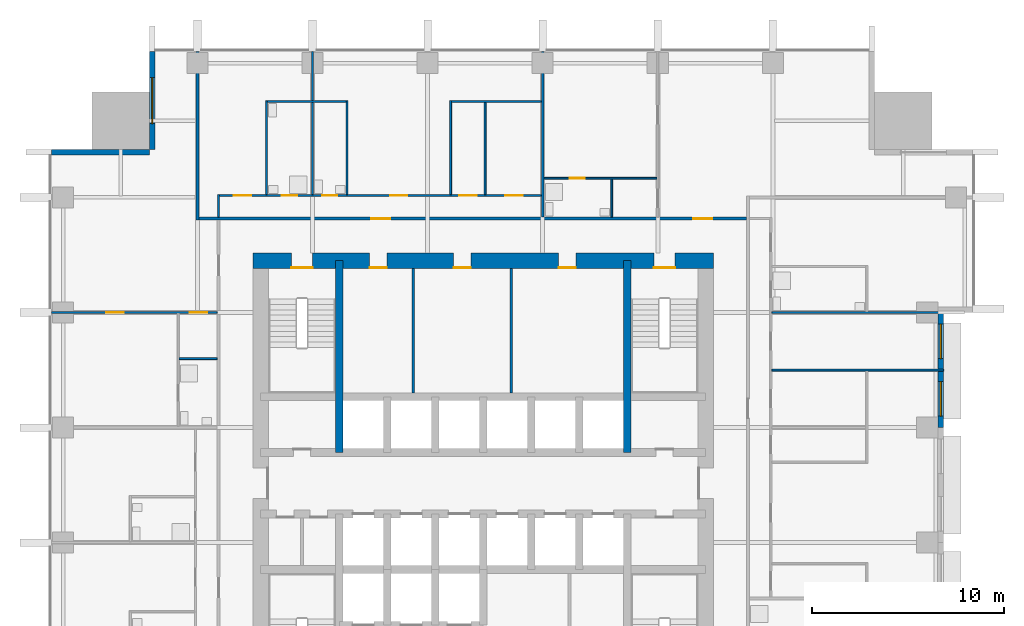
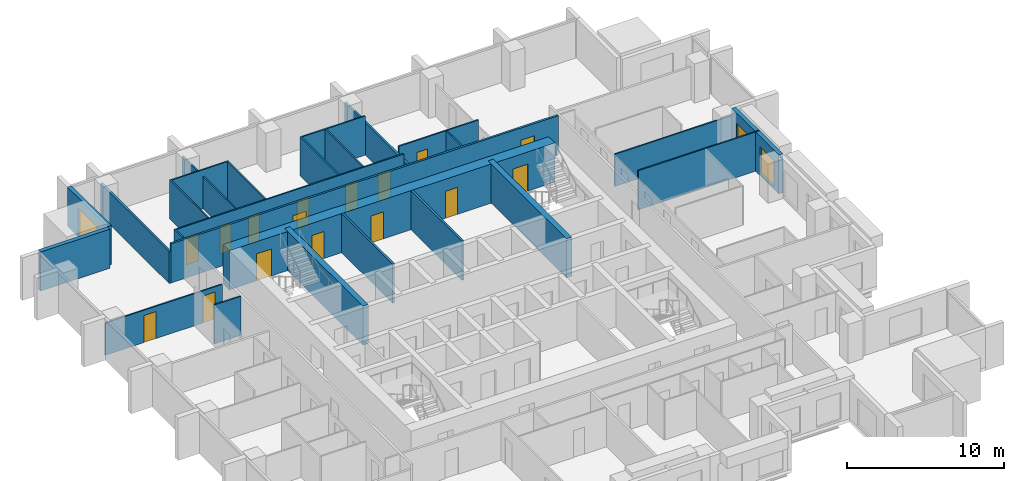
# One storey, part 7 of 10: 26 walls, 16 doors, 3 windows, 19 openings.
"""IFC4 building model written with IfcOpenShell, lengths in metres."""

import ifcopenshell
import ifcopenshell.guid

model = None  # the IFC model being written
_history = None  # IfcOwnerHistory: only IFC2X3 demands one
_inside = {}  # id of a spatial element -> (the spatial element, [elements in it])
_under = {}  # id of a project, library or spatial element -> (it, [spatial elements below it])
_declared = {}  # id of a project -> (the project, [libraries it declares])
_typed = {}  # id of a type object -> (the type object, [elements of that type])
_made_of = {}  # id of a material, layer set ... -> (it, [elements and type objects made of it])


def new_model(schema):
    """Start an empty IFC model of exactly this schema.

    Asked for "IFC4X3", IfcOpenShell would pick the latest addendum, in which some entities
    have other attributes; the version numbers below select the first issue.
    IFC2X3 requires an IfcOwnerHistory on every rooted entity: one is made here for all.
    """
    global model, _history
    if schema == "IFC4X3":
        model = ifcopenshell.file(schema_version=(4, 3, 0, 0))
    else:
        model = ifcopenshell.file(schema=schema)
    _inside.clear()
    _under.clear()
    _declared.clear()
    _typed.clear()
    _made_of.clear()
    _history = None
    if model.schema == "IFC2X3":
        org = make("IfcOrganization", Name="unknown")
        user = make(
            "IfcPersonAndOrganization",
            ThePerson=make("IfcPerson", FamilyName="unknown"),
            TheOrganization=org,
        )
        app = make(
            "IfcApplication",
            ApplicationDeveloper=org,
            Version="unknown",
            ApplicationFullName="unknown",
            ApplicationIdentifier="unknown",
        )
        _history = make(
            "IfcOwnerHistory",
            OwningUser=user,
            OwningApplication=app,
            ChangeAction="ADDED",
            CreationDate=0,
        )
    return model


def make(cls, **values):
    """One entity of the class cls with the attributes given. An attribute that is None is left unset."""
    return model.create_entity(
        cls, **{name: value for name, value in values.items() if value is not None}
    )


def rooted(cls, **values):
    """An entity with a GlobalId (a new one), such as an element, a storey or a relation."""
    return make(cls, GlobalId=ifcopenshell.guid.new(), OwnerHistory=_history, **values)


def si_unit(unit_type, name, prefix=None):
    """IfcSIUnit, for example si_unit("LENGTHUNIT", "METRE", prefix="MILLI")."""
    return make("IfcSIUnit", UnitType=unit_type, Prefix=prefix, Name=name)


def assignment(units):
    """IfcUnitAssignment: the units of a project."""
    return None if units is None else make("IfcUnitAssignment", Units=units)


def point(xyz):
    """IfcCartesianPoint."""
    return None if xyz is None else make("IfcCartesianPoint", Coordinates=xyz)


def direction(xyz):
    """IfcDirection."""
    return None if xyz is None else make("IfcDirection", DirectionRatios=xyz)


def frame(location, z_axis=None, x_axis=None):
    """IfcAxis2Placement3D, a coordinate frame: its origin and axes. An axis left out is left unset."""
    return make(
        "IfcAxis2Placement3D",
        Location=point(location),
        Axis=direction(z_axis),
        RefDirection=direction(x_axis),
    )


def frame_2d(location, x_axis=None):
    """IfcAxis2Placement2D, a coordinate frame in the plane: its origin and x axis."""
    return make(
        "IfcAxis2Placement2D", Location=point(location), RefDirection=direction(x_axis)
    )


def origin():
    """The frame at (0, 0, 0) with its axes left unset."""
    return frame((0.0, 0.0, 0.0))


def place(relative_to, where):
    """IfcLocalPlacement: puts the frame where relative to a parent placement (None: the world)."""
    return make(
        "IfcLocalPlacement", PlacementRelTo=relative_to, RelativePlacement=where
    )


def context(
    kind, dimensions, precision=None, world=None, true_north=None, identifier=None
):
    """IfcGeometricRepresentationContext, for example the 3D "Model" context."""
    return make(
        "IfcGeometricRepresentationContext",
        ContextIdentifier=identifier,
        ContextType=kind,
        CoordinateSpaceDimension=dimensions,
        Precision=precision,
        WorldCoordinateSystem=world,
        TrueNorth=true_north,
    )


def subcontext(parent, identifier, kind, view, scale=None):
    """IfcGeometricRepresentationSubContext, for example "Body" below "Model"."""
    return make(
        "IfcGeometricRepresentationSubContext",
        ContextIdentifier=identifier,
        ContextType=kind,
        ParentContext=parent,
        TargetScale=scale,
        TargetView=view,
    )


def project(units=None, contexts=None):
    """IfcProject with its units and contexts."""
    return rooted(
        "IfcProject",
        Name="project",
        RepresentationContexts=contexts,
        UnitsInContext=assignment(units),
    )


def spatial(cls, under=None, at=None, **own):
    """A site, building, storey or space (cls), placed at a placement, below another one or the project."""
    s = rooted(cls, ObjectPlacement=at, **own)
    if under is not None:
        _under.setdefault(under.id(), (under, []))[1].append(s)
    return s


def profile(cls, at=None, kind="AREA", **sizes):
    """A parametric profile (cls). Its sizes go by their IFC names, for example OverallWidth=200.0."""
    return make(cls, ProfileType=kind, Position=at, **sizes)


def rectangle(**sizes):
    """IfcRectangleProfileDef."""
    return profile("IfcRectangleProfileDef", **sizes)


def extrude(swept, where, along, depth):
    """IfcExtrudedAreaSolid: the profile swept, set in the frame where, extruded along a direction by depth."""
    return make(
        "IfcExtrudedAreaSolid",
        SweptArea=swept,
        Position=where,
        ExtrudedDirection=direction(along),
        Depth=depth,
    )


def shape(context_of_items, identifier, shape_type, items):
    """IfcShapeRepresentation: the items that make up one representation, for example the "Body"."""
    return make(
        "IfcShapeRepresentation",
        ContextOfItems=context_of_items,
        RepresentationIdentifier=identifier,
        RepresentationType=shape_type,
        Items=items,
    )


def material(Name=None, Category=None):
    """IfcMaterial."""
    return make("IfcMaterial", Name=Name, Category=Category)


def layer(
    of_material, thickness, ventilated=None, Name=None, Category=None, Priority=None
):
    """IfcMaterialLayer: one layer of a wall or slab, of a material (None: an air gap)."""
    return make(
        "IfcMaterialLayer",
        Material=of_material,
        LayerThickness=thickness,
        IsVentilated=ventilated,
        Name=Name,
        Category=Category,
        Priority=Priority,
    )


def layer_set(layers, Name=None):
    """IfcMaterialLayerSet."""
    return make("IfcMaterialLayerSet", MaterialLayers=layers, LayerSetName=Name)


def made_of(thing, what):
    """Note that an element or type object is made of a material, layer set ...; save() writes the relation."""
    if what is not None:
        _made_of.setdefault(what.id(), (what, []))[1].append(thing)
    return thing


def type_object(cls, material=None, **own):
    """A type object (cls), such as IfcWallType, which elements share."""
    return made_of(rooted(cls, **own), material)


def element(
    cls,
    number,
    at=None,
    inside=None,
    cuts=None,
    type_object=None,
    material=None,
    context=None,
    identifier="Body",
    shape_type=None,
    held_by="IfcProductDefinitionShape",
    body=None,
    shapes=None,
    **own,
):
    """One element of the class cls, such as IfcWall. Its Tag is "e" and its number.

    at: its placement. inside: the storey or other place that contains it. cuts: it is an
    opening in that element (IfcRelVoidsElement). A single representation is given by context,
    identifier, shape_type and body (its items); several are given by shapes. held_by: the class
    of the entity that holds the representations. save() writes the other relations.
    """
    e = rooted(cls, Tag="e%d" % number, ObjectPlacement=at, **own)
    if body is not None:
        shapes = [shape(context, identifier, shape_type, body)]
    if shapes is not None:
        e.Representation = make(held_by, Representations=shapes)
    if inside is not None:
        _inside.setdefault(inside.id(), (inside, []))[1].append(e)
    if cuts is not None:
        rooted(
            "IfcRelVoidsElement", RelatingBuildingElement=cuts, RelatedOpeningElement=e
        )
    if type_object is not None:
        _typed.setdefault(type_object.id(), (type_object, []))[1].append(e)
    return made_of(e, material)


def fill(opening, filler):
    """IfcRelFillsElement: the door or window that sits in an opening."""
    return rooted(
        "IfcRelFillsElement",
        RelatingOpeningElement=opening,
        RelatedBuildingElement=filler,
    )


def aggregate(whole, parts):
    """IfcRelAggregates: a whole, such as a stair, and the parts it consists of."""
    return rooted("IfcRelAggregates", RelatingObject=whole, RelatedObjects=parts)


def save(model, path):
    """Write the relations noted so far, then the file.

    IfcRelAggregates (storeys below a building ...), IfcRelContainedInSpatialStructure (elements
    in a storey), IfcRelDefinesByType, IfcRelAssociatesMaterial and IfcRelDeclares: one each for
    every whole, place, type object, material and project.
    """
    for whole, parts in _under.values():
        aggregate(whole, parts)
    for where, things in _inside.values():
        rooted(
            "IfcRelContainedInSpatialStructure",
            RelatedElements=things,
            RelatingStructure=where,
        )
    for kind, things in _typed.values():
        rooted("IfcRelDefinesByType", RelatedObjects=things, RelatingType=kind)
    for what, things in _made_of.values():
        rooted("IfcRelAssociatesMaterial", RelatedObjects=things, RelatingMaterial=what)
    for by, libraries in _declared.values():
        rooted("IfcRelDeclares", RelatingContext=by, RelatedDefinitions=libraries)
    model.write(path)


model = new_model("IFC4")

# Units and contexts
model_context = context("Model", 3, precision=1e-05, world=origin(), true_north=direction((0.0, 1.0)))
body_context = subcontext(model_context, "Body", "Model", "MODEL_VIEW")
ifc_project = project(units=[si_unit("LENGTHUNIT", "METRE"), si_unit("AREAUNIT", "SQUARE_METRE"), si_unit("VOLUMEUNIT", "CUBIC_METRE"), si_unit("PLANEANGLEUNIT", "RADIAN"), si_unit("MASSUNIT", "GRAM", prefix="KILO")], contexts=[model_context])

# Site, building, storey
site_placement = place(None, origin())
site = spatial("IfcSite", under=ifc_project, at=site_placement, CompositionType="ELEMENT")
building_placement = place(site_placement, origin())
building = spatial("IfcBuilding", under=site, at=building_placement, Name="Amberfall Residences", CompositionType="ELEMENT")
storey_placement = place(building_placement, frame((0.0, 0.0, 85.300048828125)))
storey = spatial("IfcBuildingStorey", under=building, at=storey_placement, Name="L22", CompositionType="ELEMENT", Elevation=85.300048828125)

# Wall, opening, window
ifc_material_1 = material(Name="Pale stone cladding on insulated backing", Category="masonry")
ifc_layer_1 = layer(ifc_material_1, 0.300048828125)
ifc_layer_set_1 = layer_set([ifc_layer_1], Name="Bronze clad wall 300")
wall_type_1 = type_object("IfcWallType", Name="Bronze clad wall 300", PredefinedType="SOLIDWALL", material=ifc_layer_set_1)
wall_1_placement = place(storey_placement, frame((57.25, 68.0, 0.0), z_axis=(0.0, 0.0, 1.0), x_axis=(0.0, -1.0, 0.0)))
wall_1 = element("IfcWall", 1, at=wall_1_placement, inside=storey, type_object=wall_type_1, Name="External wall L22 NW", PredefinedType="SOLIDWALL", context=body_context, shape_type="SweptSolid", body=[
    extrude(rectangle(XDim=5.10009765625, YDim=0.300048828125, at=frame_2d((2.550048828125, 0.0))), origin(), (0.0, 0.0, 1.0), 3.050048828125),
])
opening_1_placement = place(wall_1_placement, frame((1.35009765625, 0.0, 0.14990234375)))
opening_1 = element("IfcOpeningElement", 2, at=opening_1_placement, cuts=wall_1, Name="Opening WN5", PredefinedType="OPENING", context=body_context, shape_type="SweptSolid", body=[
    extrude(rectangle(XDim=2.39990234375, YDim=2.10009765625, at=frame_2d((1.199951171875, 1.050048828125))), frame((0.0, 0.159912109375, 0.0), z_axis=(0.0, -1.0, 0.0), x_axis=(1.0, 0.0, 0.0)), (0.0, 0.0, 1.0), 0.320068359375),
])
ifc_material_2 = material(Name="Bronze aluminium framed glazing", Category="aluminium")
window_type_1 = type_object("IfcWindowType", Name="Glazed opening 2400 x 2100 bronze", PartitioningType="DOUBLE_PANEL_VERTICAL", PredefinedType="WINDOW", material=ifc_material_2)
window_1_placement = place(opening_1_placement, origin())
window_1 = element("IfcWindow", 3, at=window_1_placement, inside=storey, type_object=window_type_1, Name="Window L22 NW", OverallHeight=2.10009765625, OverallWidth=2.39990234375, PartitioningType="DOUBLE_PANEL_VERTICAL", PredefinedType="WINDOW", context=body_context, shape_type="SweptSolid", body=[
    extrude(rectangle(XDim=2.39990234375, YDim=2.10009765625, at=frame_2d((1.199951171875, 1.050048828125))), frame((0.0, 0.030029296875, 0.0), z_axis=(0.0, -1.0, 0.0), x_axis=(1.0, 0.0, 0.0)), (0.0, 0.0, 1.0), 0.06005859375),
])
fill(opening_1, window_1)

# Wall
wall_2_placement = place(storey_placement, frame((57.10009765625, 62.75, 0.0), z_axis=(0.0, 0.0, 1.0), x_axis=(-1.0, 0.0, 0.0)))
element("IfcWall", 4, at=wall_2_placement, inside=storey, type_object=wall_type_1, Name="External wall L22 NW", PredefinedType="SOLIDWALL", context=body_context, shape_type="SweptSolid", body=[
    extrude(rectangle(XDim=5.10009765625, YDim=0.300048828125, at=frame_2d((2.550048828125, 0.0))), origin(), (0.0, 0.0, 1.0), 3.050048828125),
])

# Wall, openings, windows
wall_3_placement = place(storey_placement, frame((98.35009765625, 48.39990234375, 0.0), z_axis=(0.0, 0.0, 1.0), x_axis=(0.0, 1.0, 0.0)))
wall_3 = element("IfcWall", 5, at=wall_3_placement, inside=storey, type_object=wall_type_1, Name="Stone wall L22 E", PredefinedType="SOLIDWALL", context=body_context, shape_type="SweptSolid", body=[
    extrude(rectangle(XDim=6.0, YDim=0.300048828125, at=frame_2d((3.0, 0.0))), origin(), (0.0, 0.0, 1.0), 3.050048828125),
])
opening_2_placement = place(wall_3_placement, frame((0.60009765625, 0.0, 0.14990234375)))
opening_2 = element("IfcOpeningElement", 6, at=opening_2_placement, cuts=wall_3, Name="Opening WN6", PredefinedType="OPENING", context=body_context, shape_type="SweptSolid", body=[
    extrude(rectangle(XDim=1.800048828125, YDim=2.10009765625, at=frame_2d((0.89990234375, 1.050048828125))), frame((0.0, 0.159912109375, 0.0), z_axis=(0.0, -1.0, 0.0), x_axis=(1.0, 0.0, 0.0)), (0.0, 0.0, 1.0), 0.320068359375),
])
opening_3_placement = place(wall_3_placement, frame((3.60009765625, 0.0, 0.14990234375)))
opening_3 = element("IfcOpeningElement", 7, at=opening_3_placement, cuts=wall_3, Name="Opening WN6", PredefinedType="OPENING", context=body_context, shape_type="SweptSolid", body=[
    extrude(rectangle(XDim=1.800048828125, YDim=2.10009765625, at=frame_2d((0.89990234375, 1.050048828125))), frame((0.0, 0.159912109375, 0.0), z_axis=(0.0, -1.0, 0.0), x_axis=(1.0, 0.0, 0.0)), (0.0, 0.0, 1.0), 0.320068359375),
])
window_type_2 = type_object("IfcWindowType", Name="Glazed opening 1800 x 2100 bronze", PartitioningType="DOUBLE_PANEL_VERTICAL", PredefinedType="WINDOW", material=ifc_material_2)
window_2_placement = place(opening_2_placement, origin())
window_2 = element("IfcWindow", 8, at=window_2_placement, inside=storey, type_object=window_type_2, Name="Window L22 E", OverallHeight=2.10009765625, OverallWidth=1.800048828125, PartitioningType="DOUBLE_PANEL_VERTICAL", PredefinedType="WINDOW", context=body_context, shape_type="SweptSolid", body=[
    extrude(rectangle(XDim=1.800048828125, YDim=2.10009765625, at=frame_2d((0.89990234375, 1.050048828125))), frame((0.0, 0.030029296875, 0.0), z_axis=(0.0, -1.0, 0.0), x_axis=(1.0, 0.0, 0.0)), (0.0, 0.0, 1.0), 0.06005859375),
])
fill(opening_2, window_2)
window_3_placement = place(opening_3_placement, origin())
window_3 = element("IfcWindow", 9, at=window_3_placement, inside=storey, type_object=window_type_2, Name="Window L22 E", OverallHeight=2.10009765625, OverallWidth=1.800048828125, PartitioningType="DOUBLE_PANEL_VERTICAL", PredefinedType="WINDOW", context=body_context, shape_type="SweptSolid", body=[
    extrude(rectangle(XDim=1.800048828125, YDim=2.10009765625, at=frame_2d((0.89990234375, 1.050048828125))), frame((0.0, 0.030029296875, 0.0), z_axis=(0.0, -1.0, 0.0), x_axis=(1.0, 0.0, 0.0)), (0.0, 0.0, 1.0), 0.06005859375),
])
fill(opening_3, window_3)

# Walls
ifc_material_3 = material(Name="Concrete C70", Category="concrete")
ifc_layer_2 = layer(ifc_material_3, 0.39990234375)
ifc_layer_set_2 = layer_set([ifc_layer_2], Name="Core wall 400 C70")
wall_type_2 = type_object("IfcWallType", Name="Core wall 400 C70", PredefinedType="SHEAR", material=ifc_layer_set_2)
for number, where, z_axis, x_axis, name in (
    (10, (67.0, 47.10009765625, 0.0), (0.0, 0.0, 1.0), (0.0, 1.0, 0.0), "Core wall RW4 L22 V45N"),
    (11, (82.0, 47.10009765625, 0.0), (0.0, 0.0, 1.0), (0.0, 1.0, 0.0), "Core wall RW4 L22 V195N"),
):
    element("IfcWall", number, at=place(storey_placement, frame(where, z_axis=z_axis, x_axis=x_axis)), inside=storey, type_object=wall_type_2, Name=name, PredefinedType="SHEAR", context=body_context, shape_type="SweptSolid", body=[
        extrude(rectangle(XDim=10.0, YDim=0.39990234375, at=frame_2d((5.0, 0.0))), origin(), (0.0, 0.0, 1.0), 3.050048828125),
    ])

# Wall, openings, doors
ifc_layer_3 = layer(ifc_material_3, 0.800048828125)
ifc_layer_set_3 = layer_set([ifc_layer_3], Name="Core wall 800 C70")
wall_type_3 = type_object("IfcWallType", Name="Core wall 800 C70", PredefinedType="SHEAR", material=ifc_layer_set_3)
wall_4_placement = place(storey_placement, frame((62.5, 57.10009765625, 0.0), z_axis=(0.0, 0.0, 1.0), x_axis=(1.0, 0.0, 0.0)))
wall_4 = element("IfcWall", 12, at=wall_4_placement, inside=storey, type_object=wall_type_3, Name="Core wall RW3 L22 ON", PredefinedType="SHEAR", context=body_context, shape_type="SweptSolid", body=[
    extrude(rectangle(XDim=24.0, YDim=0.800048828125, at=frame_2d((12.0, 0.0))), origin(), (0.0, 0.0, 1.0), 3.050048828125),
])
opening_4_placement = place(wall_4_placement, frame((20.89990234375, 0.0, 0.0)))
opening_4 = element("IfcOpeningElement", 13, at=opening_4_placement, cuts=wall_4, Name="Opening SD1", PredefinedType="OPENING", context=body_context, shape_type="SweptSolid", body=[
    extrude(rectangle(XDim=1.10009765625, YDim=2.10009765625, at=frame_2d((0.550048828125, 1.050048828125))), frame((0.0, 0.409912109375, 0.0), z_axis=(0.0, -1.0, 0.0), x_axis=(1.0, 0.0, 0.0)), (0.0, 0.0, 1.0), 0.820068359375),
])
opening_5_placement = place(wall_4_placement, frame((2.0, 0.0, 0.0)))
opening_5 = element("IfcOpeningElement", 14, at=opening_5_placement, cuts=wall_4, Name="Opening SD1", PredefinedType="OPENING", context=body_context, shape_type="SweptSolid", body=[
    extrude(rectangle(XDim=1.10009765625, YDim=2.10009765625, at=frame_2d((0.550048828125, 1.050048828125))), frame((0.0, 0.409912109375, 0.0), z_axis=(0.0, -1.0, 0.0), x_axis=(1.0, 0.0, 0.0)), (0.0, 0.0, 1.0), 0.820068359375),
])
opening_6_placement = place(wall_4_placement, frame((6.074951171875, 0.0, 0.0)))
opening_6 = element("IfcOpeningElement", 15, at=opening_6_placement, cuts=wall_4, Name="Opening RD1", PredefinedType="OPENING", context=body_context, shape_type="SweptSolid", body=[
    extrude(rectangle(XDim=0.89990234375, YDim=2.10009765625, at=frame_2d((0.449951171875, 1.050048828125))), frame((0.0, 0.409912109375, 0.0), z_axis=(0.0, -1.0, 0.0), x_axis=(1.0, 0.0, 0.0)), (0.0, 0.0, 1.0), 0.820068359375),
])
opening_7_placement = place(wall_4_placement, frame((10.455078125, 0.0, 0.0)))
opening_7 = element("IfcOpeningElement", 16, at=opening_7_placement, cuts=wall_4, Name="Opening RD1", PredefinedType="OPENING", context=body_context, shape_type="SweptSolid", body=[
    extrude(rectangle(XDim=0.89990234375, YDim=2.10009765625, at=frame_2d((0.449951171875, 1.050048828125))), frame((0.0, 0.409912109375, 0.0), z_axis=(0.0, -1.0, 0.0), x_axis=(1.0, 0.0, 0.0)), (0.0, 0.0, 1.0), 0.820068359375),
])
opening_8_placement = place(wall_4_placement, frame((15.929931640625, 0.0, 0.0)))
opening_8 = element("IfcOpeningElement", 17, at=opening_8_placement, cuts=wall_4, Name="Opening RD1", PredefinedType="OPENING", context=body_context, shape_type="SweptSolid", body=[
    extrude(rectangle(XDim=0.89990234375, YDim=2.10009765625, at=frame_2d((0.449951171875, 1.050048828125))), frame((0.0, 0.409912109375, 0.0), z_axis=(0.0, -1.0, 0.0), x_axis=(1.0, 0.0, 0.0)), (0.0, 0.0, 1.0), 0.820068359375),
])
ifc_material_4 = material(Name="Steel fire door set", Category="steel")
door_type_1 = type_object("IfcDoorType", Name="Service room door 900 x 2100", OperationType="SINGLE_SWING_LEFT", PredefinedType="DOOR", material=ifc_material_4)
door_1_placement = place(opening_6_placement, origin())
door_1 = element("IfcDoor", 18, at=door_1_placement, inside=storey, type_object=door_type_1, Name="RD1 L22", OperationType="SINGLE_SWING_RIGHT", OverallHeight=2.10009765625, OverallWidth=0.89990234375, PredefinedType="DOOR", context=body_context, shape_type="SweptSolid", body=[
    extrude(rectangle(XDim=0.89990234375, YDim=2.10009765625, at=frame_2d((0.449951171875, 1.050048828125))), frame((0.0, -0.33740234375, 0.0), z_axis=(0.0, -1.0, 0.0), x_axis=(1.0, 0.0, 0.0)), (0.0, 0.0, 1.0), 0.050048828125),
])
fill(opening_6, door_1)
door_2_placement = place(opening_7_placement, origin())
door_2 = element("IfcDoor", 19, at=door_2_placement, inside=storey, type_object=door_type_1, Name="RD1 L22", OperationType="SINGLE_SWING_RIGHT", OverallHeight=2.10009765625, OverallWidth=0.89990234375, PredefinedType="DOOR", context=body_context, shape_type="SweptSolid", body=[
    extrude(rectangle(XDim=0.89990234375, YDim=2.10009765625, at=frame_2d((0.449951171875, 1.050048828125))), frame((0.0, -0.33740234375, 0.0), z_axis=(0.0, -1.0, 0.0), x_axis=(1.0, 0.0, 0.0)), (0.0, 0.0, 1.0), 0.050048828125),
])
fill(opening_7, door_2)
door_3_placement = place(opening_8_placement, origin())
door_3 = element("IfcDoor", 20, at=door_3_placement, inside=storey, type_object=door_type_1, Name="RD1 L22", OperationType="SINGLE_SWING_RIGHT", OverallHeight=2.10009765625, OverallWidth=0.89990234375, PredefinedType="DOOR", context=body_context, shape_type="SweptSolid", body=[
    extrude(rectangle(XDim=0.89990234375, YDim=2.10009765625, at=frame_2d((0.449951171875, 1.050048828125))), frame((0.0, -0.33740234375, 0.0), z_axis=(0.0, -1.0, 0.0), x_axis=(1.0, 0.0, 0.0)), (0.0, 0.0, 1.0), 0.050048828125),
])
fill(opening_8, door_3)
door_type_2 = type_object("IfcDoorType", Name="Stair door 1100 x 2100", OperationType="SINGLE_SWING_LEFT", PredefinedType="DOOR", material=ifc_material_4)
door_4_placement = place(opening_4_placement, origin())
door_4 = element("IfcDoor", 21, at=door_4_placement, inside=storey, type_object=door_type_2, Name="SD1 L22", OperationType="SINGLE_SWING_RIGHT", OverallHeight=2.10009765625, OverallWidth=1.10009765625, PredefinedType="DOOR", context=body_context, shape_type="SweptSolid", body=[
    extrude(rectangle(XDim=1.10009765625, YDim=2.10009765625, at=frame_2d((0.550048828125, 1.050048828125))), frame((0.0, -0.33740234375, 0.0), z_axis=(0.0, -1.0, 0.0), x_axis=(1.0, 0.0, 0.0)), (0.0, 0.0, 1.0), 0.050048828125),
])
fill(opening_4, door_4)
door_5_placement = place(opening_5_placement, origin())
door_5 = element("IfcDoor", 22, at=door_5_placement, inside=storey, type_object=door_type_2, Name="SD1 L22", OperationType="SINGLE_SWING_LEFT", OverallHeight=2.10009765625, OverallWidth=1.10009765625, PredefinedType="DOOR", context=body_context, shape_type="SweptSolid", body=[
    extrude(rectangle(XDim=1.10009765625, YDim=2.10009765625, at=frame_2d((0.550048828125, 1.050048828125))), frame((0.0, -0.33740234375, 0.0), z_axis=(0.0, -1.0, 0.0), x_axis=(1.0, 0.0, 0.0)), (0.0, 0.0, 1.0), 0.050048828125),
])
fill(opening_5, door_5)

# Walls
ifc_material_5 = material(Name="Gypsum board on metal stud")
ifc_layer_4 = layer(ifc_material_5, 0.10009765625)
ifc_layer_set_4 = layer_set([ifc_layer_4], Name="Flat partition 100")
wall_type_4 = type_object("IfcWallType", Name="Flat partition 100", PredefinedType="PARTITIONING", material=ifc_layer_set_4)
wall_5_placement = place(storey_placement, frame((60.699951171875, 59.375, 0.0), z_axis=(0.0, 0.0, 1.0), x_axis=(0.0, 1.0, 0.0)))
element("IfcWall", 23, at=wall_5_placement, inside=storey, type_object=wall_type_4, Name="Partition 005", PredefinedType="PARTITIONING", context=body_context, shape_type="SweptSolid", body=[
    extrude(rectangle(XDim=1.175048828125, YDim=0.10009765625, at=frame_2d((0.58740234375, 0.0))), origin(), (0.0, 0.0, 1.0), 3.050048828125),
])
wall_6_placement = place(storey_placement, frame((63.199951171875, 60.550048828125, 0.0), z_axis=(0.0, 0.0, 1.0), x_axis=(0.0, 1.0, 0.0)))
element("IfcWall", 24, at=wall_6_placement, inside=storey, type_object=wall_type_4, Name="Partition 006", PredefinedType="PARTITIONING", context=body_context, shape_type="SweptSolid", body=[
    extrude(rectangle(XDim=4.89990234375, YDim=0.10009765625, at=frame_2d((2.449951171875, 0.0))), origin(), (0.0, 0.0, 1.0), 3.050048828125),
])
wall_7_placement = place(storey_placement, frame((65.60009765625, 60.550048828125, 0.0), z_axis=(0.0, 0.0, 1.0), x_axis=(0.0, 1.0, 0.0)))
element("IfcWall", 25, at=wall_7_placement, inside=storey, type_object=wall_type_4, Name="Partition 007", PredefinedType="PARTITIONING", context=body_context, shape_type="SweptSolid", body=[
    extrude(rectangle(XDim=7.449951171875, YDim=0.10009765625, at=frame_2d((3.72509765625, 0.0))), origin(), (0.0, 0.0, 1.0), 2.515869140625),
])
for number, where, z_axis, x_axis, name in (
    (26, (67.39990234375, 60.550048828125, 0.0), (0.0, 0.0, 1.0), (0.0, 1.0, 0.0), "Partition 008"),
    (27, (72.800048828125, 60.550048828125, 0.0), (0.0, 0.0, 1.0), (0.0, 1.0, 0.0), "Partition 011"),
):
    element("IfcWall", number, at=place(storey_placement, frame(where, z_axis=z_axis, x_axis=x_axis)), inside=storey, type_object=wall_type_4, Name=name, PredefinedType="PARTITIONING", context=body_context, shape_type="SweptSolid", body=[
        extrude(rectangle(XDim=4.89990234375, YDim=0.10009765625, at=frame_2d((2.449951171875, 0.0))), origin(), (0.0, 0.0, 1.0), 3.050048828125),
    ])
wall_8_placement = place(storey_placement, frame((74.60009765625, 60.550048828125, 0.0), z_axis=(0.0, 0.0, 1.0), x_axis=(0.0, 1.0, 0.0)))
element("IfcWall", 28, at=wall_8_placement, inside=storey, type_object=wall_type_4, Name="Partition 012", PredefinedType="PARTITIONING", context=body_context, shape_type="SweptSolid", body=[
    extrude(rectangle(XDim=4.800048828125, YDim=0.10009765625, at=frame_2d((2.39990234375, 0.0))), origin(), (0.0, 0.0, 1.0), 3.050048828125),
])
wall_9_placement = place(storey_placement, frame((81.199951171875, 59.375, 0.0), z_axis=(0.0, 0.0, 1.0), x_axis=(0.0, 1.0, 0.0)))
element("IfcWall", 29, at=wall_9_placement, inside=storey, type_object=wall_type_4, Name="Partition 015", PredefinedType="PARTITIONING", context=body_context, shape_type="SweptSolid", body=[
    extrude(rectangle(XDim=1.97509765625, YDim=0.10009765625, at=frame_2d((0.987548828125, 0.0))), origin(), (0.0, 0.0, 1.0), 3.050048828125),
])
wall_10_placement = place(storey_placement, frame((63.25, 65.39990234375, 0.0), z_axis=(0.0, 0.0, 1.0), x_axis=(1.0, 0.0, 0.0)))
element("IfcWall", 30, at=wall_10_placement, inside=storey, type_object=wall_type_4, Name="Partition 026", PredefinedType="PARTITIONING", context=body_context, shape_type="SweptSolid", body=[
    extrude(rectangle(XDim=4.10009765625, YDim=0.10009765625, at=frame_2d((2.050048828125, 0.0))), origin(), (0.0, 0.0, 1.0), 3.050048828125),
])
wall_11_placement = place(storey_placement, frame((72.85009765625, 65.39990234375, 0.0), z_axis=(0.0, 0.0, 1.0), x_axis=(1.0, 0.0, 0.0)))
element("IfcWall", 31, at=wall_11_placement, inside=storey, type_object=wall_type_4, Name="Partition 027", PredefinedType="PARTITIONING", context=body_context, shape_type="SweptSolid", body=[
    extrude(rectangle(XDim=4.6748046875, YDim=0.10009765625, at=frame_2d((2.33740234375, 0.0))), origin(), (0.0, 0.0, 1.0), 3.050048828125),
])

# Wall, opening, door
wall_12_placement = place(storey_placement, frame((83.550048828125, 61.39990234375, 0.0), z_axis=(0.0, 0.0, 1.0), x_axis=(-1.0, 0.0, 0.0)))
wall_12 = element("IfcWall", 32, at=wall_12_placement, inside=storey, type_object=wall_type_4, Name="Partition 028", PredefinedType="PARTITIONING", context=body_context, shape_type="SweptSolid", body=[
    extrude(rectangle(XDim=5.875, YDim=0.10009765625, at=frame_2d((2.9375, 0.0))), origin(), (0.0, 0.0, 1.0), 3.050048828125),
])
opening_9_placement = place(wall_12_placement, frame((3.75, 0.0, 0.0)))
opening_9 = element("IfcOpeningElement", 33, at=opening_9_placement, cuts=wall_12, Name="Opening D42", PredefinedType="OPENING", context=body_context, shape_type="SweptSolid", body=[
    extrude(rectangle(XDim=0.800048828125, YDim=2.10009765625, at=frame_2d((0.39990234375, 1.050048828125))), frame((0.0, 0.06005859375, 0.0), z_axis=(0.0, -1.0, 0.0), x_axis=(1.0, 0.0, 0.0)), (0.0, 0.0, 1.0), 0.1201171875),
])
ifc_material_6 = material(Name="Timber", Category="wood")
door_type_3 = type_object("IfcDoorType", Name="Bathroom door 800 x 2100", OperationType="SINGLE_SWING_LEFT", PredefinedType="DOOR", material=ifc_material_6)
door_6_placement = place(opening_9_placement, origin())
door_6 = element("IfcDoor", 34, at=door_6_placement, inside=storey, type_object=door_type_3, Name="Door 2206 bath1", OperationType="SINGLE_SWING_LEFT", OverallHeight=2.10009765625, OverallWidth=0.800048828125, PredefinedType="DOOR", context=body_context, shape_type="SweptSolid", body=[
    extrude(rectangle(XDim=0.800048828125, YDim=2.10009765625, at=frame_2d((0.39990234375, 1.050048828125))), frame((0.0, 0.02490234375, 0.0), z_axis=(0.0, -1.0, 0.0), x_axis=(1.0, 0.0, 0.0)), (0.0, 0.0, 1.0), 0.050048828125),
])
fill(opening_9, door_6)

# Wall, openings, doors
wall_13_placement = place(storey_placement, frame((60.75, 60.5, 0.0), z_axis=(0.0, 0.0, 1.0), x_axis=(1.0, 0.0, 0.0)))
wall_13 = element("IfcWall", 35, at=wall_13_placement, inside=storey, type_object=wall_type_4, Name="Partition 029", PredefinedType="PARTITIONING", context=body_context, shape_type="SweptSolid", body=[
    extrude(rectangle(XDim=16.77490234375, YDim=0.10009765625, at=frame_2d((8.387451171875, 0.0))), origin(), (0.0, 0.0, 1.0), 3.050048828125),
])
opening_10_placement = place(wall_13_placement, frame((8.89990234375, 0.0, 0.0)))
opening_10 = element("IfcOpeningElement", 36, at=opening_10_placement, cuts=wall_13, Name="Opening D41", PredefinedType="OPENING", context=body_context, shape_type="SweptSolid", body=[
    extrude(rectangle(XDim=0.89990234375, YDim=2.10009765625, at=frame_2d((0.449951171875, 1.050048828125))), frame((0.0, 0.06005859375, 0.0), z_axis=(0.0, -1.0, 0.0), x_axis=(1.0, 0.0, 0.0)), (0.0, 0.0, 1.0), 0.1201171875),
])
opening_11_placement = place(wall_13_placement, frame((14.89990234375, 0.0, 0.0)))
opening_11 = element("IfcOpeningElement", 37, at=opening_11_placement, cuts=wall_13, Name="Opening D41", PredefinedType="OPENING", context=body_context, shape_type="SweptSolid", body=[
    extrude(rectangle(XDim=0.89990234375, YDim=2.10009765625, at=frame_2d((0.449951171875, 1.050048828125))), frame((0.0, 0.06005859375, 0.0), z_axis=(0.0, -1.0, 0.0), x_axis=(1.0, 0.0, 0.0)), (0.0, 0.0, 1.0), 0.1201171875),
])
opening_12_placement = place(wall_13_placement, frame((12.5, 0.0, 0.0)))
opening_12 = element("IfcOpeningElement", 38, at=opening_12_placement, cuts=wall_13, Name="Opening D41", PredefinedType="OPENING", context=body_context, shape_type="SweptSolid", body=[
    extrude(rectangle(XDim=0.89990234375, YDim=2.10009765625, at=frame_2d((0.449951171875, 1.050048828125))), frame((0.0, 0.06005859375, 0.0), z_axis=(0.0, -1.0, 0.0), x_axis=(1.0, 0.0, 0.0)), (0.0, 0.0, 1.0), 0.1201171875),
])
opening_13_placement = place(wall_13_placement, frame((5.35009765625, 0.0, 0.0)))
opening_13 = element("IfcOpeningElement", 39, at=opening_13_placement, cuts=wall_13, Name="Opening D42", PredefinedType="OPENING", context=body_context, shape_type="SweptSolid", body=[
    extrude(rectangle(XDim=0.800048828125, YDim=2.10009765625, at=frame_2d((0.39990234375, 1.050048828125))), frame((0.0, 0.06005859375, 0.0), z_axis=(0.0, -1.0, 0.0), x_axis=(1.0, 0.0, 0.0)), (0.0, 0.0, 1.0), 0.1201171875),
])
opening_14_placement = place(wall_13_placement, frame((0.75, 0.0, 0.0)))
opening_14 = element("IfcOpeningElement", 40, at=opening_14_placement, cuts=wall_13, Name="Opening D41", PredefinedType="OPENING", context=body_context, shape_type="SweptSolid", body=[
    extrude(rectangle(XDim=0.89990234375, YDim=2.10009765625, at=frame_2d((0.449951171875, 1.050048828125))), frame((0.0, 0.06005859375, 0.0), z_axis=(0.0, -1.0, 0.0), x_axis=(1.0, 0.0, 0.0)), (0.0, 0.0, 1.0), 0.1201171875),
])
opening_15_placement = place(wall_13_placement, frame((3.25, 0.0, 0.0)))
opening_15 = element("IfcOpeningElement", 41, at=opening_15_placement, cuts=wall_13, Name="Opening D42", PredefinedType="OPENING", context=body_context, shape_type="SweptSolid", body=[
    extrude(rectangle(XDim=0.800048828125, YDim=2.10009765625, at=frame_2d((0.39990234375, 1.050048828125))), frame((0.0, 0.06005859375, 0.0), z_axis=(0.0, -1.0, 0.0), x_axis=(1.0, 0.0, 0.0)), (0.0, 0.0, 1.0), 0.1201171875),
])
door_7_placement = place(opening_13_placement, origin())
door_7 = element("IfcDoor", 42, at=door_7_placement, inside=storey, type_object=door_type_3, Name="Door 2205 wc1", OperationType="SINGLE_SWING_LEFT", OverallHeight=2.10009765625, OverallWidth=0.800048828125, PredefinedType="DOOR", context=body_context, shape_type="SweptSolid", body=[
    extrude(rectangle(XDim=0.800048828125, YDim=2.10009765625, at=frame_2d((0.39990234375, 1.050048828125))), frame((0.0, 0.02490234375, 0.0), z_axis=(0.0, -1.0, 0.0), x_axis=(1.0, 0.0, 0.0)), (0.0, 0.0, 1.0), 0.050048828125),
])
fill(opening_13, door_7)
door_8_placement = place(opening_15_placement, origin())
door_8 = element("IfcDoor", 43, at=door_8_placement, inside=storey, type_object=door_type_3, Name="Door 2205 bath1", OperationType="SINGLE_SWING_LEFT", OverallHeight=2.10009765625, OverallWidth=0.800048828125, PredefinedType="DOOR", context=body_context, shape_type="SweptSolid", body=[
    extrude(rectangle(XDim=0.800048828125, YDim=2.10009765625, at=frame_2d((0.39990234375, 1.050048828125))), frame((0.0, 0.02490234375, 0.0), z_axis=(0.0, -1.0, 0.0), x_axis=(1.0, 0.0, 0.0)), (0.0, 0.0, 1.0), 0.050048828125),
])
fill(opening_15, door_8)
door_type_4 = type_object("IfcDoorType", Name="Internal door 900 x 2100", OperationType="SINGLE_SWING_LEFT", PredefinedType="DOOR", material=ifc_material_6)
door_9_placement = place(opening_10_placement, origin())
door_9 = element("IfcDoor", 44, at=door_9_placement, inside=storey, type_object=door_type_4, Name="Door 2205 living", OperationType="SINGLE_SWING_LEFT", OverallHeight=2.10009765625, OverallWidth=0.89990234375, PredefinedType="DOOR", context=body_context, shape_type="SweptSolid", body=[
    extrude(rectangle(XDim=0.89990234375, YDim=2.10009765625, at=frame_2d((0.449951171875, 1.050048828125))), frame((0.0, 0.02490234375, 0.0), z_axis=(0.0, -1.0, 0.0), x_axis=(1.0, 0.0, 0.0)), (0.0, 0.0, 1.0), 0.050048828125),
])
fill(opening_10, door_9)
door_10_placement = place(opening_11_placement, origin())
door_10 = element("IfcDoor", 45, at=door_10_placement, inside=storey, type_object=door_type_4, Name="Door 2205 kitchen", OperationType="SINGLE_SWING_LEFT", OverallHeight=2.10009765625, OverallWidth=0.89990234375, PredefinedType="DOOR", context=body_context, shape_type="SweptSolid", body=[
    extrude(rectangle(XDim=0.89990234375, YDim=2.10009765625, at=frame_2d((0.449951171875, 1.050048828125))), frame((0.0, 0.02490234375, 0.0), z_axis=(0.0, -1.0, 0.0), x_axis=(1.0, 0.0, 0.0)), (0.0, 0.0, 1.0), 0.050048828125),
])
fill(opening_11, door_10)
door_11_placement = place(opening_12_placement, origin())
door_11 = element("IfcDoor", 46, at=door_11_placement, inside=storey, type_object=door_type_4, Name="Door 2205 utility", OperationType="SINGLE_SWING_LEFT", OverallHeight=2.10009765625, OverallWidth=0.89990234375, PredefinedType="DOOR", context=body_context, shape_type="SweptSolid", body=[
    extrude(rectangle(XDim=0.89990234375, YDim=2.10009765625, at=frame_2d((0.449951171875, 1.050048828125))), frame((0.0, 0.02490234375, 0.0), z_axis=(0.0, -1.0, 0.0), x_axis=(1.0, 0.0, 0.0)), (0.0, 0.0, 1.0), 0.050048828125),
])
fill(opening_12, door_11)
door_12_placement = place(opening_14_placement, origin())
door_12 = element("IfcDoor", 47, at=door_12_placement, inside=storey, type_object=door_type_4, Name="Door 2205 bedroom1", OperationType="SINGLE_SWING_LEFT", OverallHeight=2.10009765625, OverallWidth=0.89990234375, PredefinedType="DOOR", context=body_context, shape_type="SweptSolid", body=[
    extrude(rectangle(XDim=0.89990234375, YDim=2.10009765625, at=frame_2d((0.449951171875, 1.050048828125))), frame((0.0, 0.02490234375, 0.0), z_axis=(0.0, -1.0, 0.0), x_axis=(1.0, 0.0, 0.0)), (0.0, 0.0, 1.0), 0.050048828125),
])
fill(opening_14, door_12)

wall_14_placement = place(storey_placement, frame((60.625, 54.39990234375, 0.0), z_axis=(0.0, 0.0, 1.0), x_axis=(-1.0, 0.0, 0.0)))
wall_14 = element("IfcWall", 48, at=wall_14_placement, inside=storey, type_object=wall_type_4, Name="Partition 032", PredefinedType="PARTITIONING", context=body_context, shape_type="SweptSolid", body=[
    extrude(rectangle(XDim=8.625, YDim=0.10009765625, at=frame_2d((4.3125, 0.0))), origin(), (0.0, 0.0, 1.0), 2.515869140625),
])
opening_16_placement = place(wall_14_placement, frame((0.52490234375, 0.0, 0.0)))
opening_16 = element("IfcOpeningElement", 49, at=opening_16_placement, cuts=wall_14, Name="Opening D41", PredefinedType="OPENING", context=body_context, shape_type="SweptSolid", body=[
    extrude(rectangle(XDim=0.89990234375, YDim=2.10009765625, at=frame_2d((0.449951171875, 1.050048828125))), frame((0.0, 0.06005859375, 0.0), z_axis=(0.0, -1.0, 0.0), x_axis=(1.0, 0.0, 0.0)), (0.0, 0.0, 1.0), 0.1201171875),
])
opening_17_placement = place(wall_14_placement, frame((4.875, 0.0, 0.0)))
opening_17 = element("IfcOpeningElement", 50, at=opening_17_placement, cuts=wall_14, Name="Opening D41", PredefinedType="OPENING", context=body_context, shape_type="SweptSolid", body=[
    extrude(rectangle(XDim=0.89990234375, YDim=2.10009765625, at=frame_2d((0.449951171875, 1.050048828125))), frame((0.0, 0.06005859375, 0.0), z_axis=(0.0, -1.0, 0.0), x_axis=(1.0, 0.0, 0.0)), (0.0, 0.0, 1.0), 0.1201171875),
])
door_13_placement = place(opening_16_placement, origin())
door_13 = element("IfcDoor", 51, at=door_13_placement, inside=storey, type_object=door_type_4, Name="Door 2208 kitchen", OperationType="SINGLE_SWING_LEFT", OverallHeight=2.10009765625, OverallWidth=0.89990234375, PredefinedType="DOOR", context=body_context, shape_type="SweptSolid", body=[
    extrude(rectangle(XDim=0.89990234375, YDim=2.10009765625, at=frame_2d((0.449951171875, 1.050048828125))), frame((0.0, 0.02490234375, 0.0), z_axis=(0.0, -1.0, 0.0), x_axis=(1.0, 0.0, 0.0)), (0.0, 0.0, 1.0), 0.050048828125),
])
fill(opening_16, door_13)
door_14_placement = place(opening_17_placement, origin())
door_14 = element("IfcDoor", 52, at=door_14_placement, inside=storey, type_object=door_type_4, Name="Door 2208 bedroom1", OperationType="SINGLE_SWING_LEFT", OverallHeight=2.10009765625, OverallWidth=0.89990234375, PredefinedType="DOOR", context=body_context, shape_type="SweptSolid", body=[
    extrude(rectangle(XDim=0.89990234375, YDim=2.10009765625, at=frame_2d((0.449951171875, 1.050048828125))), frame((0.0, 0.02490234375, 0.0), z_axis=(0.0, -1.0, 0.0), x_axis=(1.0, 0.0, 0.0)), (0.0, 0.0, 1.0), 0.050048828125),
])
fill(opening_17, door_14)

# Walls
wall_15_placement = place(storey_placement, frame((89.550048828125, 54.39990234375, 0.0), z_axis=(0.0, 0.0, 1.0), x_axis=(1.0, 0.0, 0.0)))
element("IfcWall", 53, at=wall_15_placement, inside=storey, type_object=wall_type_4, Name="Partition 033", PredefinedType="PARTITIONING", context=body_context, shape_type="SweptSolid", body=[
    extrude(rectangle(XDim=8.949951171875, YDim=0.10009765625, at=frame_2d((4.47509765625, 0.0))), origin(), (0.0, 0.0, 1.0), 2.515869140625),
])
wall_16_placement = place(storey_placement, frame((58.64990234375, 52.0, 0.0), z_axis=(0.0, 0.0, 1.0), x_axis=(1.0, 0.0, 0.0)))
element("IfcWall", 54, at=wall_16_placement, inside=storey, type_object=wall_type_4, Name="Partition 034", PredefinedType="PARTITIONING", context=body_context, shape_type="SweptSolid", body=[
    extrude(rectangle(XDim=1.97509765625, YDim=0.10009765625, at=frame_2d((0.987548828125, 0.0))), origin(), (0.0, 0.0, 1.0), 3.050048828125),
])
wall_17_placement = place(storey_placement, frame((89.550048828125, 51.39990234375, 0.0), z_axis=(0.0, 0.0, 1.0), x_axis=(1.0, 0.0, 0.0)))
element("IfcWall", 55, at=wall_17_placement, inside=storey, type_object=wall_type_4, Name="Partition 035", PredefinedType="PARTITIONING", context=body_context, shape_type="SweptSolid", body=[
    extrude(rectangle(XDim=8.949951171875, YDim=0.10009765625, at=frame_2d((4.47509765625, 0.0))), origin(), (0.0, 0.0, 1.0), 3.050048828125),
])
ifc_material_7 = material(Name="Blockwork, plastered", Category="masonry")
ifc_layer_5 = layer(ifc_material_7, 0.14990234375)
ifc_layer_set_5 = layer_set([ifc_layer_5], Name="Flat separating wall 150")
wall_type_5 = type_object("IfcWallType", Name="Flat separating wall 150", PredefinedType="PARTITIONING", material=ifc_layer_set_5)
wall_18_placement = place(storey_placement, frame((59.60009765625, 59.22509765625, 0.0), z_axis=(0.0, 0.0, 1.0), x_axis=(0.0, 1.0, 0.0)))
element("IfcWall", 56, at=wall_18_placement, inside=storey, type_object=wall_type_5, Name="Separating wall 051", PredefinedType="PARTITIONING", context=body_context, shape_type="SweptSolid", body=[
    extrude(rectangle(XDim=8.77490234375, YDim=0.14990234375, at=frame_2d((4.387451171875, 0.0))), origin(), (0.0, 0.0, 1.0), 2.510009765625),
])
wall_19_placement = place(storey_placement, frame((77.60009765625, 59.375, 0.0), z_axis=(0.0, 0.0, 1.0), x_axis=(0.0, 1.0, 0.0)))
element("IfcWall", 57, at=wall_19_placement, inside=storey, type_object=wall_type_5, Name="Separating wall 054", PredefinedType="PARTITIONING", context=body_context, shape_type="SweptSolid", body=[
    extrude(rectangle(XDim=8.625, YDim=0.14990234375, at=frame_2d((4.3125, 0.0))), origin(), (0.0, 0.0, 1.0), 2.515869140625),
])

# Wall, openings, doors
wall_20_placement = place(storey_placement, frame((59.675048828125, 59.300048828125, 0.0), z_axis=(0.0, 0.0, 1.0), x_axis=(1.0, 0.0, 0.0)))
wall_20 = element("IfcWall", 58, at=wall_20_placement, inside=storey, type_object=wall_type_5, Name="Separating wall 058", PredefinedType="PARTITIONING", context=body_context, shape_type="SweptSolid", body=[
    extrude(rectangle(XDim=28.550048828125, YDim=0.14990234375, at=frame_2d((14.27490234375, 0.0))), origin(), (0.0, 0.0, 1.0), 3.050048828125),
])
opening_18_placement = place(wall_20_placement, frame((8.97509765625, 0.0, 0.0)))
opening_18 = element("IfcOpeningElement", 59, at=opening_18_placement, cuts=wall_20, Name="Opening D40", PredefinedType="OPENING", context=body_context, shape_type="SweptSolid", body=[
    extrude(rectangle(XDim=1.0, YDim=2.10009765625, at=frame_2d((0.5, 1.050048828125))), frame((0.0, 0.0849609375, 0.0), z_axis=(0.0, -1.0, 0.0), x_axis=(1.0, 0.0, 0.0)), (0.0, 0.0, 1.0), 0.169921875),
])
opening_19_placement = place(wall_20_placement, frame((25.77490234375, 0.0, 0.0)))
opening_19 = element("IfcOpeningElement", 60, at=opening_19_placement, cuts=wall_20, Name="Opening D40", PredefinedType="OPENING", context=body_context, shape_type="SweptSolid", body=[
    extrude(rectangle(XDim=1.0, YDim=2.10009765625, at=frame_2d((0.5, 1.050048828125))), frame((0.0, 0.0849609375, 0.0), z_axis=(0.0, -1.0, 0.0), x_axis=(1.0, 0.0, 0.0)), (0.0, 0.0, 1.0), 0.169921875),
])
ifc_material_8 = material(Name="Timber, fire-rated", Category="wood")
door_type_5 = type_object("IfcDoorType", Name="Flat entrance door FD60 1000 x 2100", OperationType="SINGLE_SWING_LEFT", PredefinedType="DOOR", material=ifc_material_8)
door_15_placement = place(opening_18_placement, origin())
door_15 = element("IfcDoor", 61, at=door_15_placement, inside=storey, type_object=door_type_5, Name="Door 2205 entrance", OperationType="SINGLE_SWING_LEFT", OverallHeight=2.10009765625, OverallWidth=1.0, PredefinedType="DOOR", context=body_context, shape_type="SweptSolid", body=[
    extrude(rectangle(XDim=1.0, YDim=2.10009765625, at=frame_2d((0.5, 1.050048828125))), frame((0.0, 0.02490234375, 0.0), z_axis=(0.0, -1.0, 0.0), x_axis=(1.0, 0.0, 0.0)), (0.0, 0.0, 1.0), 0.050048828125),
])
fill(opening_18, door_15)
door_16_placement = place(opening_19_placement, origin())
door_16 = element("IfcDoor", 62, at=door_16_placement, inside=storey, type_object=door_type_5, Name="Door 2206 entrance", OperationType="SINGLE_SWING_LEFT", OverallHeight=2.10009765625, OverallWidth=1.0, PredefinedType="DOOR", context=body_context, shape_type="SweptSolid", body=[
    extrude(rectangle(XDim=1.0, YDim=2.10009765625, at=frame_2d((0.5, 1.050048828125))), frame((0.0, 0.02490234375, 0.0), z_axis=(0.0, -1.0, 0.0), x_axis=(1.0, 0.0, 0.0)), (0.0, 0.0, 1.0), 0.050048828125),
])
fill(opening_19, door_16)

# Walls
ifc_material_9 = material(Name="Concrete blockwork", Category="masonry")
ifc_layer_6 = layer(ifc_material_9, 0.14990234375)
ifc_layer_set_6 = layer_set([ifc_layer_6], Name="Riser wall 150")
wall_type_6 = type_object("IfcWallType", Name="Riser wall 150", PredefinedType="PLUMBINGWALL", material=ifc_layer_set_6)
for number, where, z_axis, x_axis, name in (
    (63, (70.85009765625, 50.199951171875, 0.0), (0.0, 0.0, 1.0), (0.0, 1.0, 0.0), "L22 core wall N0"),
    (64, (75.9599609375, 50.199951171875, 0.0), (0.0, 0.0, 1.0), (0.0, 1.0, 0.0), "L22 core wall N1"),
):
    element("IfcWall", number, at=place(storey_placement, frame(where, z_axis=z_axis, x_axis=x_axis)), inside=storey, type_object=wall_type_6, Name=name, PredefinedType="PLUMBINGWALL", context=body_context, shape_type="SweptSolid", body=[
        extrude(rectangle(XDim=6.5, YDim=0.14990234375, at=frame_2d((3.25, 0.0))), origin(), (0.0, 0.0, 1.0), 3.050048828125),
    ])

save(model, "model.ifc")
